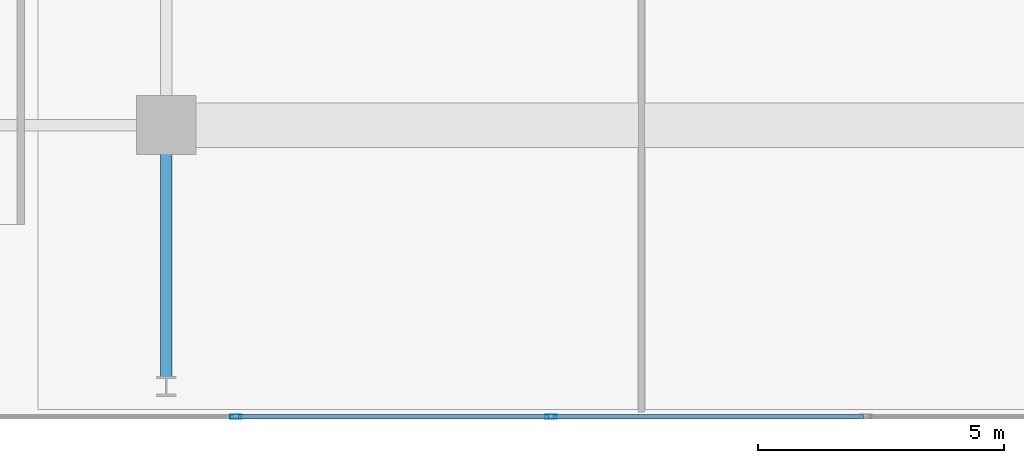
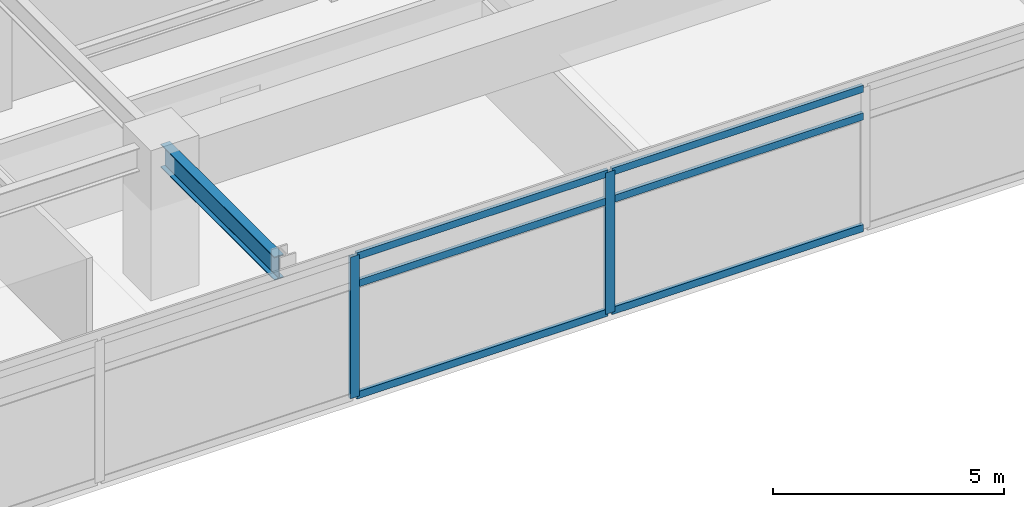
# One storey, part 4 of 21: 8 members, 1 beam, 1 element without a shape of its own.
"""IFC4 building model written with IfcOpenShell, lengths in metres."""

from ifc_helpers import new_model, si_unit, direction, frame, origin, origin_2d, place, context, subcontext, project, spatial, hollow_rectangle, i_section, extrude, material, material_profile, profile_set, type_object, element, aggregate, save


model = new_model("IFC4")

# Units and contexts
model_context = context("Model", 3, precision=1e-05, world=origin(), true_north=direction((0.0, 1.0)))
body_context = subcontext(model_context, "Body", "Model", "MODEL_VIEW")
ifc_project = project(units=[si_unit("LENGTHUNIT", "METRE"), si_unit("AREAUNIT", "SQUARE_METRE"), si_unit("VOLUMEUNIT", "CUBIC_METRE"), si_unit("PLANEANGLEUNIT", "RADIAN"), si_unit("MASSUNIT", "GRAM", prefix="KILO")], contexts=[model_context])

# Site, building, storey
site_placement = place(None, origin())
site = spatial("IfcSite", under=ifc_project, at=site_placement, CompositionType="ELEMENT")
building_placement = place(site_placement, origin())
building = spatial("IfcBuilding", under=site, at=building_placement, Name="Kovane Verandah Tower", CompositionType="ELEMENT")
storey_placement = place(building_placement, frame((0.0, 0.0, 247.199951171875)))
storey = spatial("IfcBuildingStorey", under=building, at=storey_placement, Name="L57", CompositionType="ELEMENT", Elevation=247.199951171875)

# Beam
ifc_material_1 = material(Name="Steel S355", Category="steel")
ifc_material_profile_1 = material_profile(ifc_material_1, i_section(OverallWidth=0.230224609375, OverallDepth=0.6171875, WebThickness=0.01318359375, FlangeThickness=0.022216796875, FilletRadius=0.0126953125, at=origin_2d()), Name="UB610x229x140")
ifc_profile_set_1 = profile_set([ifc_material_profile_1], Name="Steel S355")
beam_type = type_object("IfcBeamType", Name="BM-UB610x140", PredefinedType="BEAM", material=ifc_profile_set_1)
beam_placement = place(storey_placement, frame((29.0, 10.6201171875, 3.451416015625), z_axis=(0.0, -1.0, 0.0), x_axis=(1.0, 0.0, 0.0)))
element("IfcBeam", 1, at=beam_placement, inside=storey, type_object=beam_type, Name="L57 Primary Tower Girder G-VS1", PredefinedType="BEAM", context=body_context, shape_type="SweptSolid", body=[
    extrude(i_section(OverallWidth=0.230224609375, OverallDepth=0.6171875, WebThickness=0.01318359375, FlangeThickness=0.022216796875, FilletRadius=0.0126953125, at=origin_2d()), origin(), (0.0, 0.0, 1.0), 4.940185546875),
])

# Curtain wall, members
ifc_material_2 = material(Name="Champagne Anodised Aluminium Frame with Low-E Clear Laminated Glass", Category="aluminium")
curtain_wall_type = type_object("IfcCurtainWallType", Name="CW-SYS-05-HIGH", PredefinedType="NOTDEFINED", material=ifc_material_2)
curtain_wall_placement = place(storey_placement, origin())
curtain_wall = element("IfcCurtainWall", 2, at=curtain_wall_placement, inside=storey, type_object=curtain_wall_type, Name="L57 S Unitised Curtain Wall", PredefinedType="NOTDEFINED")
ifc_material_3 = material(Name="Champagne Anodised Aluminium 6063-T6", Category="aluminium")
ifc_material_profile_2 = material_profile(ifc_material_3, hollow_rectangle(XDim=0.0849609375, YDim=0.22998046875, WallThickness=0.00390625, at=origin_2d()), Name="AL85x230x4")
ifc_profile_set_2 = profile_set([ifc_material_profile_2], Name="Champagne Anodised Aluminium 6063-T6")
member_type_1 = type_object("IfcMemberType", Name="CW-MUL-85x230", PredefinedType="MULLION", material=ifc_profile_set_2)
member_1_placement = place(storey_placement, frame((30.414306640625, 4.8818359375, 0.02001953125), z_axis=(0.0, 0.0, 1.0), x_axis=(0.0, -1.0, 0.0)))
member_1 = element("IfcMember", 3, at=member_1_placement, type_object=member_type_1, Name="L57 S Unitised Curtain Wall Mullion 3", PredefinedType="MULLION", context=body_context, shape_type="SweptSolid", body=[
    extrude(hollow_rectangle(XDim=0.0849609375, YDim=0.22998046875, WallThickness=0.00390625, at=origin_2d()), origin(), (0.0, 0.0, 1.0), 3.7451171875),
])
member_2_placement = place(storey_placement, frame((36.8046875, 4.8818359375, 0.02001953125), z_axis=(0.0, 0.0, 1.0), x_axis=(0.0, -1.0, 0.0)))
member_2 = element("IfcMember", 4, at=member_2_placement, type_object=member_type_1, Name="L57 S Unitised Curtain Wall Mullion 4", PredefinedType="MULLION", context=body_context, shape_type="SweptSolid", body=[
    extrude(hollow_rectangle(XDim=0.0849609375, YDim=0.22998046875, WallThickness=0.00390625, at=origin_2d()), origin(), (0.0, 0.0, 1.0), 3.7451171875),
])
ifc_material_profile_3 = material_profile(ifc_material_3, hollow_rectangle(XDim=0.0849609375, YDim=0.18994140625, WallThickness=0.00390625, at=origin_2d()), Name="AL85x190x4")
ifc_profile_set_3 = profile_set([ifc_material_profile_3], Name="Champagne Anodised Aluminium 6063-T6")
member_type_2 = type_object("IfcMemberType", Name="CW-TRN-85x190", PredefinedType="USERDEFINED", material=ifc_profile_set_3)
member_3_placement = place(storey_placement, frame((30.46435546875, 4.8818359375, 0.050048828125), z_axis=(1.0, 0.0, 0.0), x_axis=(0.0, 1.0, 0.0)))
member_3 = element("IfcMember", 5, at=member_3_placement, type_object=member_type_2, Name="L57 S Unitised Curtain Wall Transom TB Bay 3", ObjectType="TRANSOM", PredefinedType="USERDEFINED", context=body_context, shape_type="SweptSolid", body=[
    extrude(hollow_rectangle(XDim=0.0849609375, YDim=0.18994140625, WallThickness=0.00390625, at=origin_2d()), origin(), (0.0, 0.0, 1.0), 6.29052734375),
])
member_4_placement = place(storey_placement, frame((30.46435546875, 4.8818359375, 3.005126953125), z_axis=(1.0, 0.0, 0.0), x_axis=(0.0, 1.0, 0.0)))
member_4 = element("IfcMember", 6, at=member_4_placement, type_object=member_type_2, Name="L57 S Unitised Curtain Wall Transom TM Bay 3", ObjectType="TRANSOM", PredefinedType="USERDEFINED", context=body_context, shape_type="SweptSolid", body=[
    extrude(hollow_rectangle(XDim=0.0849609375, YDim=0.18994140625, WallThickness=0.00390625, at=origin_2d()), origin(), (0.0, 0.0, 1.0), 6.29052734375),
])
member_5_placement = place(storey_placement, frame((30.46435546875, 4.8818359375, 3.735107421875), z_axis=(1.0, 0.0, 0.0), x_axis=(0.0, 1.0, 0.0)))
member_5 = element("IfcMember", 7, at=member_5_placement, type_object=member_type_2, Name="L57 S Unitised Curtain Wall Transom TT Bay 3", ObjectType="TRANSOM", PredefinedType="USERDEFINED", context=body_context, shape_type="SweptSolid", body=[
    extrude(hollow_rectangle(XDim=0.0849609375, YDim=0.18994140625, WallThickness=0.00390625, at=origin_2d()), origin(), (0.0, 0.0, 1.0), 6.29052734375),
])
member_6_placement = place(storey_placement, frame((36.854736328125, 4.8818359375, 0.050048828125), z_axis=(1.0, 0.0, 0.0), x_axis=(0.0, 1.0, 0.0)))
member_6 = element("IfcMember", 8, at=member_6_placement, type_object=member_type_2, Name="L57 S Unitised Curtain Wall Transom TB Bay 4", ObjectType="TRANSOM", PredefinedType="USERDEFINED", context=body_context, shape_type="SweptSolid", body=[
    extrude(hollow_rectangle(XDim=0.0849609375, YDim=0.18994140625, WallThickness=0.00390625, at=origin_2d()), origin(), (0.0, 0.0, 1.0), 6.29052734375),
])
member_7_placement = place(storey_placement, frame((36.854736328125, 4.8818359375, 3.005126953125), z_axis=(1.0, 0.0, 0.0), x_axis=(0.0, 1.0, 0.0)))
member_7 = element("IfcMember", 9, at=member_7_placement, type_object=member_type_2, Name="L57 S Unitised Curtain Wall Transom TM Bay 4", ObjectType="TRANSOM", PredefinedType="USERDEFINED", context=body_context, shape_type="SweptSolid", body=[
    extrude(hollow_rectangle(XDim=0.0849609375, YDim=0.18994140625, WallThickness=0.00390625, at=origin_2d()), origin(), (0.0, 0.0, 1.0), 6.29052734375),
])
member_8_placement = place(storey_placement, frame((36.854736328125, 4.8818359375, 3.735107421875), z_axis=(1.0, 0.0, 0.0), x_axis=(0.0, 1.0, 0.0)))
member_8 = element("IfcMember", 10, at=member_8_placement, type_object=member_type_2, Name="L57 S Unitised Curtain Wall Transom TT Bay 4", ObjectType="TRANSOM", PredefinedType="USERDEFINED", context=body_context, shape_type="SweptSolid", body=[
    extrude(hollow_rectangle(XDim=0.0849609375, YDim=0.18994140625, WallThickness=0.00390625, at=origin_2d()), origin(), (0.0, 0.0, 1.0), 6.29052734375),
])
aggregate(curtain_wall, [member_1, member_2, member_3, member_4, member_5, member_6, member_7, member_8])

save(model, "model.ifc")
